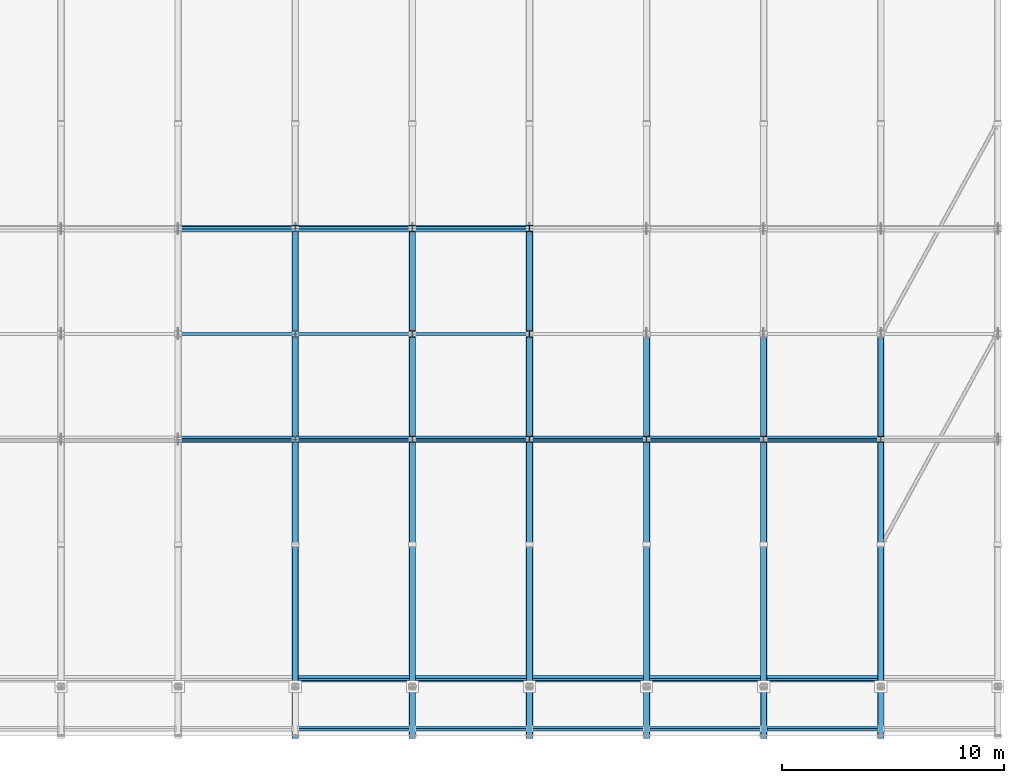
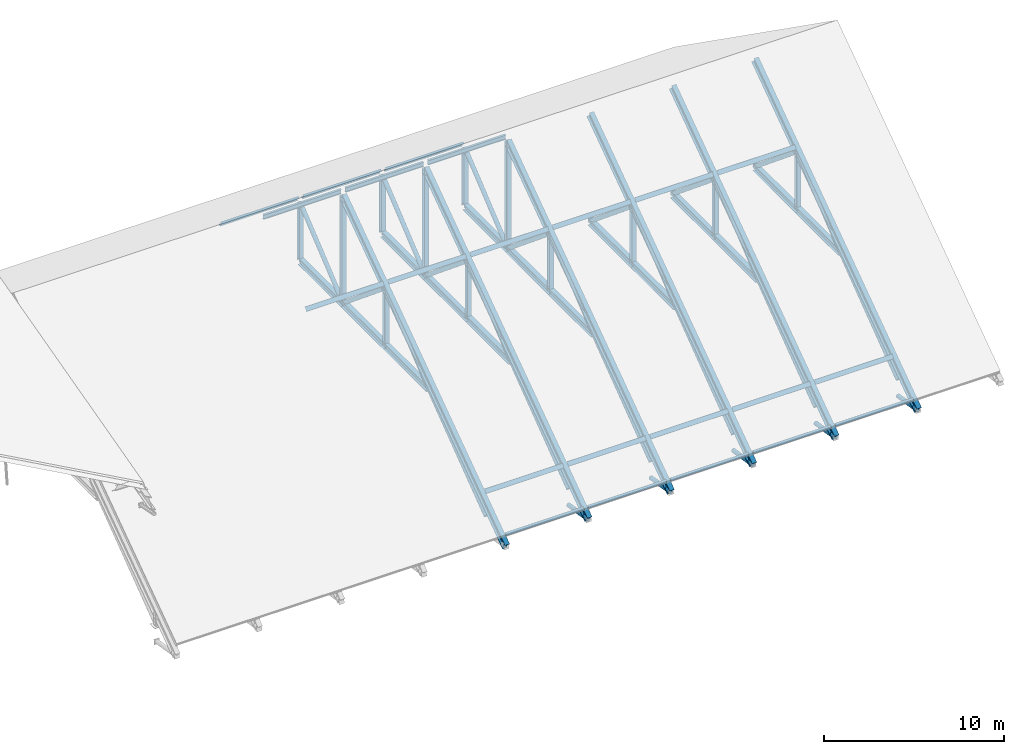
# One storey, part 12 of 57: 75 members, 6 beams.
"""IFC4 building model written with IfcOpenShell, lengths in metres."""

from ifc_helpers import new_model, si_unit, direction, frame, origin, origin_2d, place, context, subcontext, project, spatial, hollow_rectangle, hollow_circle, i_section, extrude, material, material_profile, profile_set, type_object, element, save


model = new_model("IFC4")

# Units and contexts
model_context = context("Model", 3, precision=1e-05, world=origin(), true_north=direction((0.0, 1.0)))
body_context = subcontext(model_context, "Body", "Model", "MODEL_VIEW")
ifc_project = project(units=[si_unit("LENGTHUNIT", "METRE"), si_unit("AREAUNIT", "SQUARE_METRE"), si_unit("VOLUMEUNIT", "CUBIC_METRE"), si_unit("PLANEANGLEUNIT", "RADIAN"), si_unit("MASSUNIT", "GRAM", prefix="KILO")], contexts=[model_context])

# Site, building, storey
site_placement = place(None, origin())
site = spatial("IfcSite", under=ifc_project, at=site_placement, CompositionType="ELEMENT")
building_placement = place(site_placement, origin())
building = spatial("IfcBuilding", under=site, at=building_placement, Name="Kelarvand Opera House", CompositionType="ELEMENT")
storey_placement = place(building_placement, frame((0.0, 0.0, 33.60009765625)))
storey = spatial("IfcBuildingStorey", under=building, at=storey_placement, Name="Roof", CompositionType="ELEMENT", Elevation=33.60009765625)

# Members
ifc_material = material(Name="Steel S355", Category="steel")
ifc_material_profile_1 = material_profile(ifc_material, hollow_circle(Radius=0.136474609375, WallThickness=0.012451171875, at=origin_2d()), Name="CHS 273.0x12.5", Category="steel")
ifc_profile_set_1 = profile_set([ifc_material_profile_1], Name="Steel S355")
member_type_1 = type_object("IfcMemberType", Name="Structural Brace CHS 273.0x12.5 BR-CHS273", PredefinedType="BRACE", material=ifc_profile_set_1)
member_1_placement = place(storey_placement, frame((110.1201171875, 46.60009765625, -9.60009765625), z_axis=(0.0, 0.799992675677, 0.60000976564), x_axis=(-1.0, 0.0, 0.0)))
element("IfcMember", 1, at=member_1_placement, inside=storey, type_object=member_type_1, Name="V1 Roof Truss 5 Support Tie S", PredefinedType="BRACE", context=body_context, shape_type="SweptSolid", body=[
    extrude(hollow_circle(Radius=0.136474609375, WallThickness=0.012451171875, at=origin_2d()), origin(), (0.0, 0.0, 1.0), 8.0),
])
for number, where, z_axis, x_axis, name in (
    (2, (110.1201171875, 53.0, -4.800048828125), (0.0, 0.772175345454, 0.635409502504), (-1.0, 0.0, 0.0), "V1 Roof Truss 5 Web Diagonal 1"),
    (3, (110.1201171875, 57.75, -0.891357421875), (0.0, 0.772175345454, -0.635409502504), (-1.0, 0.0, 0.0), "V1 Roof Truss 5 Web Diagonal 2"),
    (4, (110.1201171875, 62.5, -4.800048828125), (0.0, 0.772175345454, 0.635409502504), (-1.0, 0.0, 0.0), "V1 Roof Truss 5 Web Diagonal 3"),
):
    element("IfcMember", number, at=place(storey_placement, frame(where, z_axis=z_axis, x_axis=x_axis)), inside=storey, type_object=member_type_1, Name=name, PredefinedType="BRACE", context=body_context, shape_type="SweptSolid", body=[
        extrude(hollow_circle(Radius=0.136474609375, WallThickness=0.012451171875, at=origin_2d()), origin(), (0.0, 0.0, 1.0), 6.1513671875),
    ])
member_2_placement = place(storey_placement, frame((115.39990234375, 46.60009765625, -10.7001953125), z_axis=(0.0, -0.986305042144, 0.164931391313), x_axis=(1.0, 0.0, 0.0)))
element("IfcMember", 5, at=member_2_placement, inside=storey, type_object=member_type_1, Name="V1 Roof Truss 6 Eave Knee Brace S", PredefinedType="BRACE", context=body_context, shape_type="SweptSolid", body=[
    extrude(hollow_circle(Radius=0.136474609375, WallThickness=0.012451171875, at=origin_2d()), origin(), (0.0, 0.0, 1.0), 2.230712890625),
])
member_3_placement = place(storey_placement, frame((115.39990234375, 46.60009765625, -9.60009765625), z_axis=(0.0, 0.799992675677, 0.60000976564), x_axis=(-1.0, 0.0, 0.0)))
element("IfcMember", 6, at=member_3_placement, inside=storey, type_object=member_type_1, Name="V1 Roof Truss 6 Support Tie S", PredefinedType="BRACE", context=body_context, shape_type="SweptSolid", body=[
    extrude(hollow_circle(Radius=0.136474609375, WallThickness=0.012451171875, at=origin_2d()), origin(), (0.0, 0.0, 1.0), 8.0),
])
for number, where, z_axis, x_axis, name in (
    (7, (115.39990234375, 53.0, -4.800048828125), (0.0, 0.772175345454, 0.635409502504), (-1.0, 0.0, 0.0), "V1 Roof Truss 6 Web Diagonal 1"),
    (8, (115.39990234375, 57.75, -0.891357421875), (0.0, 0.772175345454, -0.635409502504), (-1.0, 0.0, 0.0), "V1 Roof Truss 6 Web Diagonal 2"),
    (9, (115.39990234375, 62.5, -4.800048828125), (0.0, 0.772175345454, 0.635409502504), (-1.0, 0.0, 0.0), "V1 Roof Truss 6 Web Diagonal 3"),
):
    element("IfcMember", number, at=place(storey_placement, frame(where, z_axis=z_axis, x_axis=x_axis)), inside=storey, type_object=member_type_1, Name=name, PredefinedType="BRACE", context=body_context, shape_type="SweptSolid", body=[
        extrude(hollow_circle(Radius=0.136474609375, WallThickness=0.012451171875, at=origin_2d()), origin(), (0.0, 0.0, 1.0), 6.1513671875),
    ])
member_4_placement = place(storey_placement, frame((120.679931640625, 46.60009765625, -10.7001953125), z_axis=(0.0, -0.986305042144, 0.164931391313), x_axis=(1.0, 0.0, 0.0)))
element("IfcMember", 10, at=member_4_placement, inside=storey, type_object=member_type_1, Name="V1 Roof Truss 7 Eave Knee Brace S", PredefinedType="BRACE", context=body_context, shape_type="SweptSolid", body=[
    extrude(hollow_circle(Radius=0.136474609375, WallThickness=0.012451171875, at=origin_2d()), origin(), (0.0, 0.0, 1.0), 2.230712890625),
])
member_5_placement = place(storey_placement, frame((120.679931640625, 46.60009765625, -9.60009765625), z_axis=(0.0, 0.799992675677, 0.60000976564), x_axis=(-1.0, 0.0, 0.0)))
element("IfcMember", 11, at=member_5_placement, inside=storey, type_object=member_type_1, Name="V1 Roof Truss 7 Support Tie S", PredefinedType="BRACE", context=body_context, shape_type="SweptSolid", body=[
    extrude(hollow_circle(Radius=0.136474609375, WallThickness=0.012451171875, at=origin_2d()), origin(), (0.0, 0.0, 1.0), 8.0),
])
for number, where, z_axis, x_axis, name in (
    (12, (120.679931640625, 53.0, -4.800048828125), (0.0, 0.772175345454, 0.635409502504), (-1.0, 0.0, 0.0), "V1 Roof Truss 7 Web Diagonal 1"),
    (13, (120.679931640625, 57.75, -0.891357421875), (0.0, 0.772175345454, -0.635409502504), (-1.0, 0.0, 0.0), "V1 Roof Truss 7 Web Diagonal 2"),
    (14, (120.679931640625, 62.5, -4.800048828125), (0.0, 0.772175345454, 0.635409502504), (-1.0, 0.0, 0.0), "V1 Roof Truss 7 Web Diagonal 3"),
):
    element("IfcMember", number, at=place(storey_placement, frame(where, z_axis=z_axis, x_axis=x_axis)), inside=storey, type_object=member_type_1, Name=name, PredefinedType="BRACE", context=body_context, shape_type="SweptSolid", body=[
        extrude(hollow_circle(Radius=0.136474609375, WallThickness=0.012451171875, at=origin_2d()), origin(), (0.0, 0.0, 1.0), 6.1513671875),
    ])
member_6_placement = place(storey_placement, frame((125.9599609375, 46.60009765625, -10.7001953125), z_axis=(0.0, -0.986305042144, 0.164931391313), x_axis=(1.0, 0.0, 0.0)))
element("IfcMember", 15, at=member_6_placement, inside=storey, type_object=member_type_1, Name="V1 Roof Truss 8 Eave Knee Brace S", PredefinedType="BRACE", context=body_context, shape_type="SweptSolid", body=[
    extrude(hollow_circle(Radius=0.136474609375, WallThickness=0.012451171875, at=origin_2d()), origin(), (0.0, 0.0, 1.0), 2.230712890625),
])
member_7_placement = place(storey_placement, frame((125.9599609375, 46.60009765625, -9.60009765625), z_axis=(0.0, 0.799992675677, 0.60000976564), x_axis=(-1.0, 0.0, 0.0)))
element("IfcMember", 16, at=member_7_placement, inside=storey, type_object=member_type_1, Name="V1 Roof Truss 8 Support Tie S", PredefinedType="BRACE", context=body_context, shape_type="SweptSolid", body=[
    extrude(hollow_circle(Radius=0.136474609375, WallThickness=0.012451171875, at=origin_2d()), origin(), (0.0, 0.0, 1.0), 8.0),
])
for number, where, z_axis, x_axis, name in (
    (17, (125.9599609375, 53.0, -4.800048828125), (0.0, 0.772175345454, 0.635409502504), (-1.0, 0.0, 0.0), "V1 Roof Truss 8 Web Diagonal 1"),
    (18, (125.9599609375, 57.75, -0.891357421875), (0.0, 0.772175345454, -0.635409502504), (-1.0, 0.0, 0.0), "V1 Roof Truss 8 Web Diagonal 2"),
):
    element("IfcMember", number, at=place(storey_placement, frame(where, z_axis=z_axis, x_axis=x_axis)), inside=storey, type_object=member_type_1, Name=name, PredefinedType="BRACE", context=body_context, shape_type="SweptSolid", body=[
        extrude(hollow_circle(Radius=0.136474609375, WallThickness=0.012451171875, at=origin_2d()), origin(), (0.0, 0.0, 1.0), 6.1513671875),
    ])
member_8_placement = place(storey_placement, frame((131.239990234375, 46.60009765625, -10.7001953125), z_axis=(0.0, -0.986305042144, 0.164931391313), x_axis=(1.0, 0.0, 0.0)))
element("IfcMember", 19, at=member_8_placement, inside=storey, type_object=member_type_1, Name="V1 Roof Truss 9 Eave Knee Brace S", PredefinedType="BRACE", context=body_context, shape_type="SweptSolid", body=[
    extrude(hollow_circle(Radius=0.136474609375, WallThickness=0.012451171875, at=origin_2d()), origin(), (0.0, 0.0, 1.0), 2.230712890625),
])
member_9_placement = place(storey_placement, frame((131.239990234375, 46.60009765625, -9.60009765625), z_axis=(0.0, 0.799992675677, 0.60000976564), x_axis=(-1.0, 0.0, 0.0)))
element("IfcMember", 20, at=member_9_placement, inside=storey, type_object=member_type_1, Name="V1 Roof Truss 9 Support Tie S", PredefinedType="BRACE", context=body_context, shape_type="SweptSolid", body=[
    extrude(hollow_circle(Radius=0.136474609375, WallThickness=0.012451171875, at=origin_2d()), origin(), (0.0, 0.0, 1.0), 8.0),
])
for number, where, z_axis, x_axis, name in (
    (21, (131.239990234375, 53.0, -4.800048828125), (0.0, 0.772175345454, 0.635409502504), (-1.0, 0.0, 0.0), "V1 Roof Truss 9 Web Diagonal 1"),
    (22, (131.239990234375, 57.75, -0.891357421875), (0.0, 0.772175345454, -0.635409502504), (-1.0, 0.0, 0.0), "V1 Roof Truss 9 Web Diagonal 2"),
):
    element("IfcMember", number, at=place(storey_placement, frame(where, z_axis=z_axis, x_axis=x_axis)), inside=storey, type_object=member_type_1, Name=name, PredefinedType="BRACE", context=body_context, shape_type="SweptSolid", body=[
        extrude(hollow_circle(Radius=0.136474609375, WallThickness=0.012451171875, at=origin_2d()), origin(), (0.0, 0.0, 1.0), 6.1513671875),
    ])
member_10_placement = place(storey_placement, frame((136.52001953125, 46.60009765625, -10.7001953125), z_axis=(0.0, -0.986305042144, 0.164931391313), x_axis=(1.0, 0.0, 0.0)))
element("IfcMember", 23, at=member_10_placement, inside=storey, type_object=member_type_1, Name="V1 Roof Truss 10 Eave Knee Brace S", PredefinedType="BRACE", context=body_context, shape_type="SweptSolid", body=[
    extrude(hollow_circle(Radius=0.136474609375, WallThickness=0.012451171875, at=origin_2d()), origin(), (0.0, 0.0, 1.0), 2.230712890625),
])
member_11_placement = place(storey_placement, frame((136.52001953125, 46.60009765625, -9.60009765625), z_axis=(0.0, 0.799992675677, 0.60000976564), x_axis=(-1.0, 0.0, 0.0)))
element("IfcMember", 24, at=member_11_placement, inside=storey, type_object=member_type_1, Name="V1 Roof Truss 10 Support Tie S", PredefinedType="BRACE", context=body_context, shape_type="SweptSolid", body=[
    extrude(hollow_circle(Radius=0.136474609375, WallThickness=0.012451171875, at=origin_2d()), origin(), (0.0, 0.0, 1.0), 8.0),
])
for number, where, z_axis, x_axis, name in (
    (25, (136.52001953125, 53.0, -4.800048828125), (0.0, 0.772175345454, 0.635409502504), (-1.0, 0.0, 0.0), "V1 Roof Truss 10 Web Diagonal 1"),
    (26, (136.52001953125, 57.75, -0.891357421875), (0.0, 0.772175345454, -0.635409502504), (-1.0, 0.0, 0.0), "V1 Roof Truss 10 Web Diagonal 2"),
):
    element("IfcMember", number, at=place(storey_placement, frame(where, z_axis=z_axis, x_axis=x_axis)), inside=storey, type_object=member_type_1, Name=name, PredefinedType="BRACE", context=body_context, shape_type="SweptSolid", body=[
        extrude(hollow_circle(Radius=0.136474609375, WallThickness=0.012451171875, at=origin_2d()), origin(), (0.0, 0.0, 1.0), 6.1513671875),
    ])
ifc_material_profile_2 = material_profile(ifc_material, i_section(OverallWidth=0.300048828125, OverallDepth=0.449951171875, WebThickness=0.013916015625, FlangeThickness=0.02587890625, at=origin_2d()), Name="HEB 450", Category="steel")
ifc_profile_set_2 = profile_set([ifc_material_profile_2], Name="Steel S355")
member_type_2 = type_object("IfcMemberType", Name="Structural Chord HEB 450 CH-HEB450", PredefinedType="CHORD", material=ifc_profile_set_2)
for number, where, z_axis, x_axis, name in (
    (27, (110.1201171875, 53.0, -4.800048828125), (0.0, 1.0, 0.0), (-1.0, 0.0, 0.0), "V1 Roof Truss 5 Bottom Chord 1"),
    (28, (110.1201171875, 57.75, -4.800048828125), (0.0, 1.0, 0.0), (-1.0, 0.0, 0.0), "V1 Roof Truss 5 Bottom Chord 2"),
    (29, (110.1201171875, 62.5, -4.800048828125), (0.0, 1.0, 0.0), (-1.0, 0.0, 0.0), "V1 Roof Truss 5 Bottom Chord 3"),
    (30, (115.39990234375, 53.0, -4.800048828125), (0.0, 1.0, 0.0), (-1.0, 0.0, 0.0), "V1 Roof Truss 6 Bottom Chord 1"),
    (31, (115.39990234375, 57.75, -4.800048828125), (0.0, 1.0, 0.0), (-1.0, 0.0, 0.0), "V1 Roof Truss 6 Bottom Chord 2"),
    (32, (115.39990234375, 62.5, -4.800048828125), (0.0, 1.0, 0.0), (-1.0, 0.0, 0.0), "V1 Roof Truss 6 Bottom Chord 3"),
    (33, (120.679931640625, 53.0, -4.800048828125), (0.0, 1.0, 0.0), (-1.0, 0.0, 0.0), "V1 Roof Truss 7 Bottom Chord 1"),
    (34, (120.679931640625, 57.75, -4.800048828125), (0.0, 1.0, 0.0), (-1.0, 0.0, 0.0), "V1 Roof Truss 7 Bottom Chord 2"),
    (35, (120.679931640625, 62.5, -4.800048828125), (0.0, 1.0, 0.0), (-1.0, 0.0, 0.0), "V1 Roof Truss 7 Bottom Chord 3"),
    (36, (125.9599609375, 53.0, -4.800048828125), (0.0, 1.0, 0.0), (-1.0, 0.0, 0.0), "V1 Roof Truss 8 Bottom Chord 1"),
    (37, (125.9599609375, 57.75, -4.800048828125), (0.0, 1.0, 0.0), (-1.0, 0.0, 0.0), "V1 Roof Truss 8 Bottom Chord 2"),
    (38, (131.239990234375, 53.0, -4.800048828125), (0.0, 1.0, 0.0), (-1.0, 0.0, 0.0), "V1 Roof Truss 9 Bottom Chord 1"),
    (39, (131.239990234375, 57.75, -4.800048828125), (0.0, 1.0, 0.0), (-1.0, 0.0, 0.0), "V1 Roof Truss 9 Bottom Chord 2"),
    (40, (136.52001953125, 53.0, -4.800048828125), (0.0, 1.0, 0.0), (-1.0, 0.0, 0.0), "V1 Roof Truss 10 Bottom Chord 1"),
    (41, (136.52001953125, 57.75, -4.800048828125), (0.0, 1.0, 0.0), (-1.0, 0.0, 0.0), "V1 Roof Truss 10 Bottom Chord 2"),
):
    element("IfcMember", number, at=place(storey_placement, frame(where, z_axis=z_axis, x_axis=x_axis)), inside=storey, type_object=member_type_2, Name=name, PredefinedType="CHORD", context=body_context, shape_type="SweptSolid", body=[
        extrude(i_section(OverallWidth=0.300048828125, OverallDepth=0.449951171875, WebThickness=0.013916015625, FlangeThickness=0.02587890625, at=origin_2d()), origin(), (0.0, 0.0, 1.0), 4.75),
    ])
ifc_material_profile_3 = material_profile(ifc_material, i_section(OverallWidth=0.280029296875, OverallDepth=0.280029296875, WebThickness=0.010498046875, FlangeThickness=0.01806640625, at=origin_2d()), Name="HEB 280", Category="steel")
ifc_profile_set_3 = profile_set([ifc_material_profile_3], Name="Steel S355")
member_type_3 = type_object("IfcMemberType", Name="Structural Post HEB 280 PS-HEB280", PredefinedType="POST", material=ifc_profile_set_3)
member_12_placement = place(storey_placement, frame((110.1201171875, 57.75, -4.800048828125), z_axis=(0.0, 0.0, 1.0), x_axis=(1.0, 0.0, 0.0)))
element("IfcMember", 42, at=member_12_placement, inside=storey, type_object=member_type_3, Name="V1 Roof Truss 5 Post 1", PredefinedType="POST", context=body_context, shape_type="SweptSolid", body=[
    extrude(i_section(OverallWidth=0.280029296875, OverallDepth=0.280029296875, WebThickness=0.010498046875, FlangeThickness=0.01806640625, at=origin_2d()), origin(), (0.0, 0.0, 1.0), 3.90869140625),
])
member_13_placement = place(storey_placement, frame((110.1201171875, 62.5, -4.800048828125), z_axis=(0.0, 0.0, 1.0), x_axis=(1.0, 0.0, 0.0)))
element("IfcMember", 43, at=member_13_placement, inside=storey, type_object=member_type_3, Name="V1 Roof Truss 5 Post 2", PredefinedType="POST", context=body_context, shape_type="SweptSolid", body=[
    extrude(i_section(OverallWidth=0.280029296875, OverallDepth=0.280029296875, WebThickness=0.010498046875, FlangeThickness=0.01806640625, at=origin_2d()), origin(), (0.0, 0.0, 1.0), 7.267822265625),
])
for number, where, z_axis, x_axis, name in (
    (44, (110.1201171875, 67.25, -4.800048828125), (0.0, 0.0, 1.0), (1.0, 0.0, 0.0), "V1 Roof Truss 5 Post 3"),
    (45, (115.39990234375, 57.75, -4.800048828125), (0.0, 0.0, 1.0), (1.0, 0.0, 0.0), "V1 Roof Truss 6 Post 1"),
):
    element("IfcMember", number, at=place(storey_placement, frame(where, z_axis=z_axis, x_axis=x_axis)), inside=storey, type_object=member_type_3, Name=name, PredefinedType="POST", context=body_context, shape_type="SweptSolid", body=[
        extrude(i_section(OverallWidth=0.280029296875, OverallDepth=0.280029296875, WebThickness=0.010498046875, FlangeThickness=0.01806640625, at=origin_2d()), origin(), (0.0, 0.0, 1.0), 3.90869140625),
    ])
member_14_placement = place(storey_placement, frame((115.39990234375, 62.5, -4.800048828125), z_axis=(0.0, 0.0, 1.0), x_axis=(1.0, 0.0, 0.0)))
element("IfcMember", 46, at=member_14_placement, inside=storey, type_object=member_type_3, Name="V1 Roof Truss 6 Post 2", PredefinedType="POST", context=body_context, shape_type="SweptSolid", body=[
    extrude(i_section(OverallWidth=0.280029296875, OverallDepth=0.280029296875, WebThickness=0.010498046875, FlangeThickness=0.01806640625, at=origin_2d()), origin(), (0.0, 0.0, 1.0), 7.267822265625),
])
for number, where, z_axis, x_axis, name in (
    (47, (115.39990234375, 67.25, -4.800048828125), (0.0, 0.0, 1.0), (1.0, 0.0, 0.0), "V1 Roof Truss 6 Post 3"),
    (48, (120.679931640625, 57.75, -4.800048828125), (0.0, 0.0, 1.0), (1.0, 0.0, 0.0), "V1 Roof Truss 7 Post 1"),
):
    element("IfcMember", number, at=place(storey_placement, frame(where, z_axis=z_axis, x_axis=x_axis)), inside=storey, type_object=member_type_3, Name=name, PredefinedType="POST", context=body_context, shape_type="SweptSolid", body=[
        extrude(i_section(OverallWidth=0.280029296875, OverallDepth=0.280029296875, WebThickness=0.010498046875, FlangeThickness=0.01806640625, at=origin_2d()), origin(), (0.0, 0.0, 1.0), 3.90869140625),
    ])
member_15_placement = place(storey_placement, frame((120.679931640625, 62.5, -4.800048828125), z_axis=(0.0, 0.0, 1.0), x_axis=(1.0, 0.0, 0.0)))
element("IfcMember", 49, at=member_15_placement, inside=storey, type_object=member_type_3, Name="V1 Roof Truss 7 Post 2", PredefinedType="POST", context=body_context, shape_type="SweptSolid", body=[
    extrude(i_section(OverallWidth=0.280029296875, OverallDepth=0.280029296875, WebThickness=0.010498046875, FlangeThickness=0.01806640625, at=origin_2d()), origin(), (0.0, 0.0, 1.0), 7.267822265625),
])
for number, where, z_axis, x_axis, name in (
    (50, (120.679931640625, 67.25, -4.800048828125), (0.0, 0.0, 1.0), (1.0, 0.0, 0.0), "V1 Roof Truss 7 Post 3"),
    (51, (125.9599609375, 57.75, -4.800048828125), (0.0, 0.0, 1.0), (1.0, 0.0, 0.0), "V1 Roof Truss 8 Post 1"),
    (52, (131.239990234375, 57.75, -4.800048828125), (0.0, 0.0, 1.0), (1.0, 0.0, 0.0), "V1 Roof Truss 9 Post 1"),
    (53, (136.52001953125, 57.75, -4.800048828125), (0.0, 0.0, 1.0), (1.0, 0.0, 0.0), "V1 Roof Truss 10 Post 1"),
):
    element("IfcMember", number, at=place(storey_placement, frame(where, z_axis=z_axis, x_axis=x_axis)), inside=storey, type_object=member_type_3, Name=name, PredefinedType="POST", context=body_context, shape_type="SweptSolid", body=[
        extrude(i_section(OverallWidth=0.280029296875, OverallDepth=0.280029296875, WebThickness=0.010498046875, FlangeThickness=0.01806640625, at=origin_2d()), origin(), (0.0, 0.0, 1.0), 3.90869140625),
    ])
ifc_material_profile_4 = material_profile(ifc_material, i_section(OverallWidth=0.14990234375, OverallDepth=0.300048828125, WebThickness=0.007080078125, FlangeThickness=0.0107421875, at=origin_2d()), Name="IPE 300", Category="steel")
ifc_profile_set_4 = profile_set([ifc_material_profile_4], Name="Steel S355")
member_type_4 = type_object("IfcMemberType", Name="Structural Purlin IPE 300 PR-IPE300", PredefinedType="PURLIN", material=ifc_profile_set_4)
for number, where, z_axis, x_axis, name in (
    (54, (104.97998046875, 57.75, -0.548583984375), (1.0, 0.0, 0.0), (0.0, 0.816440043737, -0.577430216549), "V1 Roof Purlin 4.3"),
    (55, (104.97998046875, 62.5, 2.826416015625), (1.0, 0.0, 0.0), (0.0, 1.0, 0.0), "V1 Roof Purlin 4.4"),
    (56, (104.97998046875, 67.25, -0.548583984375), (1.0, 0.0, 0.0), (0.0, 0.816440043737, 0.577430216549), "V1 Roof Purlin 4.5"),
    (57, (110.260009765625, 46.949951171875, -8.18603515625), (1.0, 0.0, 0.0), (0.0, 0.816440043737, -0.577430216549), "V1 Roof Purlin 5.2"),
    (58, (110.260009765625, 57.75, -0.548583984375), (1.0, 0.0, 0.0), (0.0, 0.816440043737, -0.577430216549), "V1 Roof Purlin 5.3"),
    (59, (110.260009765625, 62.5, 2.826416015625), (1.0, 0.0, 0.0), (0.0, 1.0, 0.0), "V1 Roof Purlin 5.4"),
    (60, (110.260009765625, 67.25, -0.548583984375), (1.0, 0.0, 0.0), (0.0, 0.816440043737, 0.577430216549), "V1 Roof Purlin 5.5"),
    (61, (115.5400390625, 46.949951171875, -8.18603515625), (1.0, 0.0, 0.0), (0.0, 0.816440043737, -0.577430216549), "V1 Roof Purlin 6.2"),
    (62, (115.5400390625, 57.75, -0.548583984375), (1.0, 0.0, 0.0), (0.0, 0.816440043737, -0.577430216549), "V1 Roof Purlin 6.3"),
    (63, (115.5400390625, 62.5, 2.826416015625), (1.0, 0.0, 0.0), (0.0, 1.0, 0.0), "V1 Roof Purlin 6.4"),
    (64, (115.5400390625, 67.25, -0.548583984375), (1.0, 0.0, 0.0), (0.0, 0.816440043737, 0.577430216549), "V1 Roof Purlin 6.5"),
    (65, (120.820068359375, 46.949951171875, -8.18603515625), (1.0, 0.0, 0.0), (0.0, 0.816440043737, -0.577430216549), "V1 Roof Purlin 7.2"),
    (66, (120.820068359375, 57.75, -0.548583984375), (1.0, 0.0, 0.0), (0.0, 0.816440043737, -0.577430216549), "V1 Roof Purlin 7.3"),
    (67, (126.10009765625, 46.949951171875, -8.18603515625), (1.0, 0.0, 0.0), (0.0, 0.816440043737, -0.577430216549), "V1 Roof Purlin 8.2"),
    (68, (126.10009765625, 57.75, -0.548583984375), (1.0, 0.0, 0.0), (0.0, 0.816440043737, -0.577430216549), "V1 Roof Purlin 8.3"),
    (69, (131.3798828125, 46.949951171875, -8.18603515625), (1.0, 0.0, 0.0), (0.0, 0.816440043737, -0.577430216549), "V1 Roof Purlin 9.2"),
    (70, (131.3798828125, 57.75, -0.548583984375), (1.0, 0.0, 0.0), (0.0, 0.816440043737, -0.577430216549), "V1 Roof Purlin 9.3"),
):
    element("IfcMember", number, at=place(storey_placement, frame(where, z_axis=z_axis, x_axis=x_axis)), inside=storey, type_object=member_type_4, Name=name, PredefinedType="PURLIN", context=body_context, shape_type="SweptSolid", body=[
        extrude(i_section(OverallWidth=0.14990234375, OverallDepth=0.300048828125, WebThickness=0.007080078125, FlangeThickness=0.0107421875, at=origin_2d()), origin(), (0.0, 0.0, 1.0), 5.0),
    ])
ifc_material_profile_5 = material_profile(ifc_material, hollow_rectangle(XDim=0.10009765625, YDim=0.199951171875, WallThickness=0.008056640625, at=origin_2d()), Name="RHS 200x100x8.0", Category="steel")
ifc_profile_set_5 = profile_set([ifc_material_profile_5], Name="Steel S355")
member_type_5 = type_object("IfcMemberType", Name="Structural Purlin RHS 200x100x8.0 PR-RHS200E", PredefinedType="PURLIN", material=ifc_profile_set_5)
for number, where, z_axis, x_axis, name in (
    (71, (110.260009765625, 44.699951171875, -9.721923828125), (1.0, 0.0, 0.0), (0.0, 0.816440043737, -0.577430216549), "V1 Roof Purlin 5.1"),
    (72, (115.5400390625, 44.699951171875, -9.721923828125), (1.0, 0.0, 0.0), (0.0, 0.816440043737, -0.577430216549), "V1 Roof Purlin 6.1"),
    (73, (120.820068359375, 44.699951171875, -9.721923828125), (1.0, 0.0, 0.0), (0.0, 0.816440043737, -0.577430216549), "V1 Roof Purlin 7.1"),
    (74, (126.10009765625, 44.699951171875, -9.721923828125), (1.0, 0.0, 0.0), (0.0, 0.816440043737, -0.577430216549), "V1 Roof Purlin 8.1"),
    (75, (131.3798828125, 44.699951171875, -9.721923828125), (1.0, 0.0, 0.0), (0.0, 0.816440043737, -0.577430216549), "V1 Roof Purlin 9.1"),
):
    element("IfcMember", number, at=place(storey_placement, frame(where, z_axis=z_axis, x_axis=x_axis)), inside=storey, type_object=member_type_5, Name=name, PredefinedType="PURLIN", context=body_context, shape_type="SweptSolid", body=[
        extrude(hollow_rectangle(XDim=0.10009765625, YDim=0.199951171875, WallThickness=0.008056640625, at=origin_2d()), origin(), (0.0, 0.0, 1.0), 5.0),
    ])

# Beams
ifc_material_profile_6 = material_profile(ifc_material, i_section(OverallWidth=0.300048828125, OverallDepth=0.5, WebThickness=0.014404296875, FlangeThickness=0.028076171875, at=origin_2d()), Name="HEB 500", Category="steel")
ifc_profile_set_6 = profile_set([ifc_material_profile_6], Name="Steel S355")
beam_type = type_object("IfcBeamType", Name="Structural Roof Truss HEB 500 RT-HEB500", PredefinedType="USERDEFINED", material=ifc_profile_set_6)
for number, where, z_axis, x_axis, name in (
    (76, (110.1201171875, 44.39990234375, -10.332275390625), (0.0, 0.816467936104, 0.577390776956), (-1.0, 0.0, 0.0), "V1 Roof Truss 5 Top Chord Rafter 1"),
    (77, (115.39990234375, 44.39990234375, -10.332275390625), (0.0, 0.816467936104, 0.577390776956), (-1.0, 0.0, 0.0), "V1 Roof Truss 6 Top Chord Rafter 1"),
    (78, (120.679931640625, 44.39990234375, -10.332275390625), (0.0, 0.816467936104, 0.577390776956), (-1.0, 0.0, 0.0), "V1 Roof Truss 7 Top Chord Rafter 1"),
    (79, (125.9599609375, 44.39990234375, -10.332275390625), (0.0, 0.816467936104, 0.577390776956), (-1.0, 0.0, 0.0), "V1 Roof Truss 8 Top Chord Rafter 1"),
    (80, (131.239990234375, 44.39990234375, -10.332275390625), (0.0, 0.816467936104, 0.577390776956), (-1.0, 0.0, 0.0), "V1 Roof Truss 9 Top Chord Rafter 1"),
    (81, (136.52001953125, 44.39990234375, -10.332275390625), (0.0, 0.816467936104, 0.577390776956), (-1.0, 0.0, 0.0), "V1 Roof Truss 10 Top Chord Rafter 1"),
):
    element("IfcBeam", number, at=place(storey_placement, frame(where, z_axis=z_axis, x_axis=x_axis)), inside=storey, type_object=beam_type, Name=name, ObjectType="ROOF TRUSS", PredefinedType="USERDEFINED", context=body_context, shape_type="SweptSolid", body=[
        extrude(i_section(OverallWidth=0.300048828125, OverallDepth=0.5, WebThickness=0.014404296875, FlangeThickness=0.028076171875, at=origin_2d()), origin(), (0.0, 0.0, 1.0), 22.168701171875),
    ])

save(model, "model.ifc")
